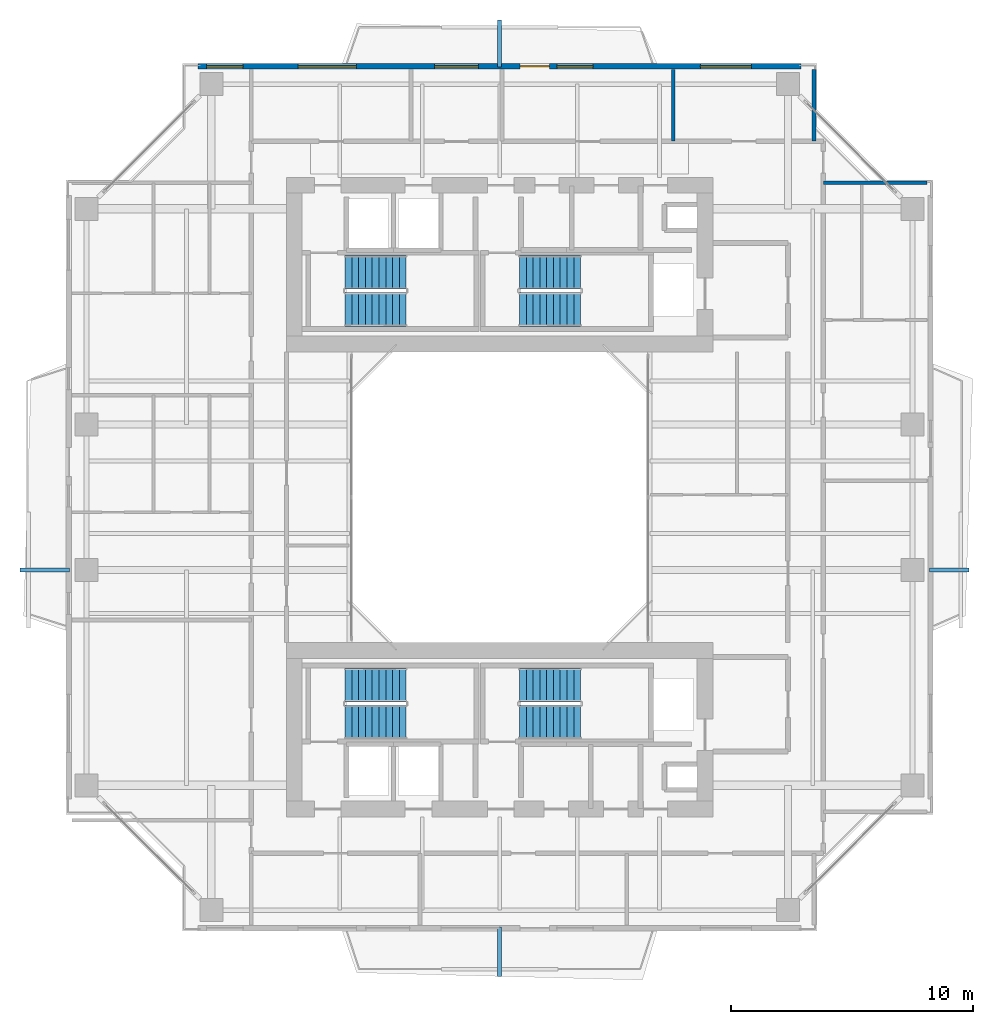
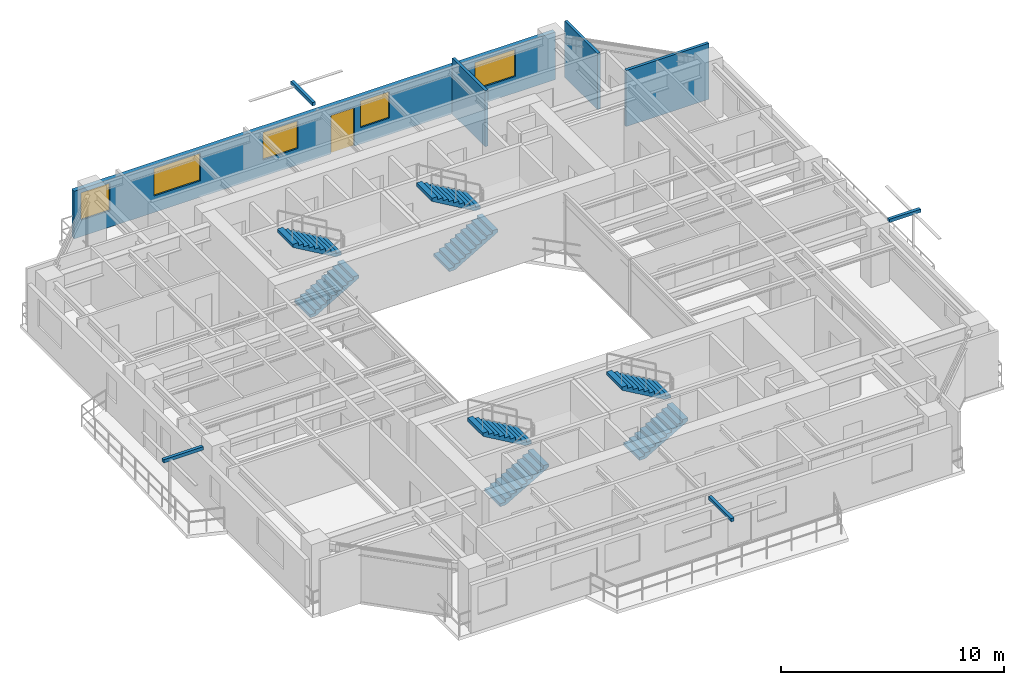
# One storey, part 14 of 17: 8 stair flights, 5 windows, 4 discrete accessories, 4 walls, 1 door, 6 openings, 4 elements without a shape of their own.
"""IFC4 building model written with IfcOpenShell, lengths in metres."""

from ifc_helpers import new_model, si_unit, direction, frame, frame_2d, origin, origin_2d, place, context, subcontext, project, spatial, polyline, rectangle, outline, extrude, source, transform, mapped, material, layer, layer_set, type_object, element, fill, aggregate, save


model = new_model("IFC4")

# Units and contexts
model_context = context("Model", 3, precision=1e-05, world=origin(), true_north=direction((0.0, 1.0)))
body_context = subcontext(model_context, "Body", "Model", "MODEL_VIEW")
ifc_project = project(units=[si_unit("LENGTHUNIT", "METRE"), si_unit("AREAUNIT", "SQUARE_METRE"), si_unit("VOLUMEUNIT", "CUBIC_METRE"), si_unit("PLANEANGLEUNIT", "RADIAN"), si_unit("MASSUNIT", "GRAM", prefix="KILO"), si_unit("THERMODYNAMICTEMPERATUREUNIT", "KELVIN"), si_unit("POWERUNIT", "WATT")], contexts=[model_context])

# Site, building, storey
site_placement = place(None, origin())
site = spatial("IfcSite", under=ifc_project, at=site_placement, CompositionType="ELEMENT")
building_placement = place(site_placement, origin())
building = spatial("IfcBuilding", under=site, at=building_placement, Name="Qiaomeng Ring Towers", CompositionType="ELEMENT")
storey_placement = place(building_placement, frame((0.0, 0.0, 150.25)))
storey = spatial("IfcBuildingStorey", under=building, at=storey_placement, Name="L43", CompositionType="ELEMENT", Elevation=150.25)

# Wall, openings, windows, door
ifc_material_1 = material(Name="Precast concrete C40", Category="concrete")
ifc_layer_1 = layer(ifc_material_1, 0.219970703125, Name="Precast concrete C40")
ifc_layer_set_1 = layer_set([ifc_layer_1], Name="Precast concrete C40")
wall_type_1 = type_object("IfcWallType", Name="ARC-WL-EW2", PredefinedType="STANDARD", material=ifc_layer_set_1)
wall_1_placement = place(storey_placement, frame((6.550048828125, 40.7900390625, 0.0), z_axis=(0.0, 0.0, 1.0), x_axis=(1.0, 0.0, 0.0)))
wall_1 = element("IfcWall", 1, at=wall_1_placement, inside=storey, type_object=wall_type_1, Name="L43 Tower 1 N Exterior Wall", PredefinedType="STANDARD", context=body_context, shape_type="SweptSolid", body=[
    extrude(rectangle(XDim=24.89990234375, YDim=0.219970703125, at=frame_2d((12.449951171875, 0.0))), origin(), (0.0, 0.0, 1.0), 2.610107421875),
])
opening_1_placement = place(wall_1_placement, frame((13.300048828125, 0.0, 0.0)))
opening_1 = element("IfcOpeningElement", 2, at=opening_1_placement, cuts=wall_1, Name="Opening BD1", PredefinedType="OPENING", context=body_context, shape_type="SweptSolid", body=[
    extrude(rectangle(XDim=1.199951171875, YDim=2.10009765625, at=frame_2d((0.60009765625, 1.050048828125))), frame((0.0, 0.119873046875, 0.0), z_axis=(0.0, -1.0, 0.0), x_axis=(1.0, 0.0, 0.0)), (0.0, 0.0, 1.0), 0.239990234375),
])
opening_2_placement = place(wall_1_placement, frame((0.357421875, 0.0, 0.89990234375)))
opening_2 = element("IfcOpeningElement", 3, at=opening_2_placement, cuts=wall_1, Name="Opening WN2", PredefinedType="OPENING", context=body_context, shape_type="SweptSolid", body=[
    extrude(rectangle(XDim=1.5, YDim=1.5, at=frame_2d((0.75, 0.75))), frame((0.0, 0.119873046875, 0.0), z_axis=(0.0, -1.0, 0.0), x_axis=(1.0, 0.0, 0.0)), (0.0, 0.0, 1.0), 0.239990234375),
])
opening_3_placement = place(wall_1_placement, frame((9.77001953125, 0.0, 0.89990234375)))
opening_3 = element("IfcOpeningElement", 4, at=opening_3_placement, cuts=wall_1, Name="Opening WN1", PredefinedType="OPENING", context=body_context, shape_type="SweptSolid", body=[
    extrude(rectangle(XDim=1.800048828125, YDim=1.5, at=frame_2d((0.89990234375, 0.75))), frame((0.0, 0.119873046875, 0.0), z_axis=(0.0, -1.0, 0.0), x_axis=(1.0, 0.0, 0.0)), (0.0, 0.0, 1.0), 0.239990234375),
])
opening_4_placement = place(wall_1_placement, frame((14.81298828125, 0.0, 0.89990234375)))
opening_4 = element("IfcOpeningElement", 5, at=opening_4_placement, cuts=wall_1, Name="Opening WN2", PredefinedType="OPENING", context=body_context, shape_type="SweptSolid", body=[
    extrude(rectangle(XDim=1.5, YDim=1.449951171875, at=frame_2d((0.75, 0.72509765625))), frame((0.0, 0.119873046875, 0.0), z_axis=(0.0, -1.0, 0.0), x_axis=(1.0, 0.0, 0.0)), (0.0, 0.0, 1.0), 0.239990234375),
])
opening_5_placement = place(wall_1_placement, frame((20.738037109375, 0.0, 0.89990234375)))
opening_5 = element("IfcOpeningElement", 6, at=opening_5_placement, cuts=wall_1, Name="Opening WN4", PredefinedType="OPENING", context=body_context, shape_type="SweptSolid", body=[
    extrude(rectangle(XDim=2.10009765625, YDim=1.47998046875, at=frame_2d((1.050048828125, 0.739990234375))), frame((0.0, 0.119873046875, 0.0), z_axis=(0.0, -1.0, 0.0), x_axis=(1.0, 0.0, 0.0)), (0.0, 0.0, 1.0), 0.239990234375),
])
opening_6_placement = place(wall_1_placement, frame((4.136474609375, 0.0, 0.89990234375)))
opening_6 = element("IfcOpeningElement", 7, at=opening_6_placement, cuts=wall_1, Name="Opening WN6", PredefinedType="OPENING", context=body_context, shape_type="SweptSolid", body=[
    extrude(rectangle(XDim=2.39990234375, YDim=1.5, at=frame_2d((1.199951171875, 0.75))), frame((0.0, 0.119873046875, 0.0), z_axis=(0.0, -1.0, 0.0), x_axis=(1.0, 0.0, 0.0)), (0.0, 0.0, 1.0), 0.239990234375),
])
ifc_material_2 = material(Name="Low-E dark-grey laminated double glazing", Category="glass")
window_type_1 = type_object("IfcWindowType", Name="ARC-WN-2", PartitioningType="DOUBLE_PANEL_VERTICAL", PredefinedType="WINDOW", material=ifc_material_2)
shared_shape_1 = source(origin(), body_context, "Body", "SweptSolid", [
    extrude(rectangle(XDim=1.5, YDim=1.449951171875, at=frame_2d((0.75, 0.72509765625))), frame((0.0, 0.030029296875, 0.0), z_axis=(0.0, -1.0, 0.0), x_axis=(1.0, 0.0, 0.0)), (0.0, 0.0, 1.0), 0.06005859375),
])
window_1_placement = place(opening_4_placement, origin())
window_1 = element("IfcWindow", 8, at=window_1_placement, inside=storey, type_object=window_type_1, Name="L43 Exterior Window WN2", OverallHeight=1.449951171875, OverallWidth=1.5, PartitioningType="DOUBLE_PANEL_VERTICAL", PredefinedType="WINDOW", context=body_context, shape_type="MappedRepresentation", body=[
    mapped(shared_shape_1, transform((0.0, 0.0, 0.0), x_axis=(1.0, 0.0, 0.0), y_axis=(0.0, 1.0, 0.0), z_axis=(0.0, 0.0, 1.0), scale=1.0)),
])
fill(opening_4, window_1)
window_type_2 = type_object("IfcWindowType", Name="ARC-WN-4", PartitioningType="TRIPLE_PANEL_VERTICAL", PredefinedType="WINDOW", material=ifc_material_2)
shared_shape_2 = source(origin(), body_context, "Body", "SweptSolid", [
    extrude(rectangle(XDim=2.10009765625, YDim=1.47998046875, at=frame_2d((1.050048828125, 0.739990234375))), frame((0.0, 0.030029296875, 0.0), z_axis=(0.0, -1.0, 0.0), x_axis=(1.0, 0.0, 0.0)), (0.0, 0.0, 1.0), 0.06005859375),
])
window_2_placement = place(opening_5_placement, origin())
window_2 = element("IfcWindow", 9, at=window_2_placement, inside=storey, type_object=window_type_2, Name="L43 Exterior Window WN4", OverallHeight=1.47998046875, OverallWidth=2.10009765625, PartitioningType="TRIPLE_PANEL_VERTICAL", PredefinedType="WINDOW", context=body_context, shape_type="MappedRepresentation", body=[
    mapped(shared_shape_2, transform((0.0, 0.0, 0.0), x_axis=(1.0, 0.0, 0.0), y_axis=(0.0, 1.0, 0.0), z_axis=(0.0, 0.0, 1.0), scale=1.0)),
])
fill(opening_5, window_2)
door_type = type_object("IfcDoorType", Name="ARC-DR-BD1", OperationType="NOTDEFINED", PredefinedType="DOOR", material=ifc_material_2)
shared_shape_3 = source(origin(), body_context, "Body", "SweptSolid", [
    extrude(rectangle(XDim=1.199951171875, YDim=2.10009765625, at=frame_2d((0.60009765625, 1.050048828125))), frame((0.0, 0.02490234375, 0.0), z_axis=(0.0, -1.0, 0.0), x_axis=(1.0, 0.0, 0.0)), (0.0, 0.0, 1.0), 0.050048828125),
])
door_placement = place(opening_1_placement, origin())
door = element("IfcDoor", 10, at=door_placement, inside=storey, type_object=door_type, Name="L43 N Balcony Glazed Door", OperationType="SINGLE_SWING_LEFT", OverallHeight=2.10009765625, OverallWidth=1.199951171875, PredefinedType="DOOR", context=body_context, shape_type="MappedRepresentation", body=[
    mapped(shared_shape_3, transform((0.0, 0.0, 0.0), x_axis=(1.0, 0.0, 0.0), y_axis=(0.0, 1.0, 0.0), z_axis=(0.0, 0.0, 1.0), scale=1.0)),
])
fill(opening_1, door)
shared_shape_4 = source(origin(), body_context, "Body", "SweptSolid", [
    extrude(rectangle(XDim=1.5, YDim=1.5, at=frame_2d((0.75, 0.75))), frame((0.0, 0.030029296875, 0.0), z_axis=(0.0, -1.0, 0.0), x_axis=(1.0, 0.0, 0.0)), (0.0, 0.0, 1.0), 0.06005859375),
])
window_3_placement = place(opening_2_placement, origin())
window_3 = element("IfcWindow", 11, at=window_3_placement, inside=storey, type_object=window_type_1, Name="L43 Exterior Window WN6", OverallHeight=1.5, OverallWidth=1.5, PartitioningType="TRIPLE_PANEL_VERTICAL", PredefinedType="WINDOW", context=body_context, shape_type="MappedRepresentation", body=[
    mapped(shared_shape_4, transform((0.0, 0.0, 0.0), x_axis=(1.0, 0.0, 0.0), y_axis=(0.0, 1.0, 0.0), z_axis=(0.0, 0.0, 1.0), scale=1.0)),
])
fill(opening_2, window_3)
window_type_3 = type_object("IfcWindowType", Name="ARC-WN-6", PartitioningType="TRIPLE_PANEL_VERTICAL", PredefinedType="WINDOW", material=ifc_material_2)
shared_shape_5 = source(origin(), body_context, "Body", "SweptSolid", [
    extrude(rectangle(XDim=2.39990234375, YDim=1.5, at=frame_2d((1.199951171875, 0.75))), frame((0.0, 0.030029296875, 0.0), z_axis=(0.0, -1.0, 0.0), x_axis=(1.0, 0.0, 0.0)), (0.0, 0.0, 1.0), 0.06005859375),
])
window_4_placement = place(opening_6_placement, origin())
window_4 = element("IfcWindow", 12, at=window_4_placement, inside=storey, type_object=window_type_3, Name="L43 Exterior Window WN6", OverallHeight=1.5, OverallWidth=2.39990234375, PartitioningType="TRIPLE_PANEL_VERTICAL", PredefinedType="WINDOW", context=body_context, shape_type="MappedRepresentation", body=[
    mapped(shared_shape_5, transform((0.0, 0.0, 0.0), x_axis=(1.0, 0.0, 0.0), y_axis=(0.0, 1.0, 0.0), z_axis=(0.0, 0.0, 1.0), scale=1.0)),
])
fill(opening_6, window_4)
window_type_4 = type_object("IfcWindowType", Name="ARC-WN-1", PartitioningType="DOUBLE_PANEL_VERTICAL", PredefinedType="WINDOW", material=ifc_material_2)
shared_shape_6 = source(origin(), body_context, "Body", "SweptSolid", [
    extrude(rectangle(XDim=1.800048828125, YDim=1.5, at=frame_2d((0.89990234375, 0.75))), frame((0.0, 0.030029296875, 0.0), z_axis=(0.0, -1.0, 0.0), x_axis=(1.0, 0.0, 0.0)), (0.0, 0.0, 1.0), 0.06005859375),
])
window_5_placement = place(opening_3_placement, origin())
window_5 = element("IfcWindow", 13, at=window_5_placement, inside=storey, type_object=window_type_4, Name="L43 Exterior Window WN1", OverallHeight=1.5, OverallWidth=1.800048828125, PartitioningType="DOUBLE_PANEL_VERTICAL", PredefinedType="WINDOW", context=body_context, shape_type="MappedRepresentation", body=[
    mapped(shared_shape_6, transform((0.0, 0.0, 0.0), x_axis=(1.0, 0.0, 0.0), y_axis=(0.0, 1.0, 0.0), z_axis=(0.0, 0.0, 1.0), scale=1.0)),
])
fill(opening_3, window_5)

# Walls
ifc_material_3 = material(Name="Gypsum fireboard steel-stud partition", Category="steel")
ifc_layer_2 = layer(ifc_material_3, 0.14990234375, Name="Gypsum fireboard steel-stud partition")
ifc_layer_set_2 = layer_set([ifc_layer_2], Name="Gypsum fireboard steel-stud partition")
wall_type_2 = type_object("IfcWallType", Name="ARC-WL-PW3", PredefinedType="PARTITIONING", material=ifc_layer_set_2)
for number, where, z_axis, x_axis, name in (
    (14, (26.169921875, 37.699951171875, 0.0), (0.0, 0.0, 1.0), (0.0, 1.0, 0.0), "L43 Interior Wall PW3"),
    (15, (31.97998046875, 37.699951171875, 0.0), (0.0, 0.0, 1.0), (0.0, 1.0, 0.0), "L43 Interior Wall PW3"),
):
    element("IfcWall", number, at=place(storey_placement, frame(where, z_axis=z_axis, x_axis=x_axis)), inside=storey, type_object=wall_type_2, Name=name, PredefinedType="PARTITIONING", context=body_context, shape_type="SweptSolid", body=[
        extrude(rectangle(XDim=2.949951171875, YDim=0.14990234375, at=frame_2d((1.47509765625, 0.0))), origin(), (0.0, 0.0, 1.0), 3.070068359375),
    ])
wall_2_placement = place(storey_placement, frame((32.360107421875, 35.97998046875, 0.0), z_axis=(0.0, 0.0, 1.0), x_axis=(1.0, 0.0, 0.0)))
element("IfcWall", 16, at=wall_2_placement, inside=storey, type_object=wall_type_2, Name="L43 Interior Wall PW3", PredefinedType="PARTITIONING", context=body_context, shape_type="SweptSolid", body=[
    extrude(rectangle(XDim=4.289794921875, YDim=0.14990234375, at=frame_2d((2.14501953125, 0.0))), origin(), (0.0, 0.0, 1.0), 3.070068359375),
])

# Stair, stair flights
stair_type = type_object("IfcStairType", Name="ARC-ST-325", PredefinedType="HALF_TURN_STAIR", material=ifc_material_1)
stair_1_placement = place(storey_placement, origin())
stair_1 = element("IfcStair", 17, at=stair_1_placement, inside=storey, type_object=stair_type, Name="L43 Tower 1 North Stair 1", PredefinedType="HALF_TURN_STAIR")
stair_flight_type = type_object("IfcStairFlightType", Name="ARC-ST-325-FL", PredefinedType="STRAIGHT", material=ifc_material_1)
shared_shape_7 = source(origin(), body_context, "Body", "SweptSolid", [
    extrude(outline(polyline([(0.0, 0.0), (0.0, 0.16259765625), (0.280029296875, 0.16259765625), (0.280029296875, 0.324951171875), (0.56005859375, 0.324951171875), (0.56005859375, 0.487548828125), (0.840087890625, 0.487548828125), (0.840087890625, 0.64990234375), (1.1201171875, 0.64990234375), (1.1201171875, 0.8125), (1.39990234375, 0.8125), (1.39990234375, 0.97509765625), (1.679931640625, 0.97509765625), (1.679931640625, 1.137451171875), (1.9599609375, 1.137451171875), (1.9599609375, 1.300048828125), (2.239990234375, 1.300048828125), (2.239990234375, 1.46240234375), (2.52001953125, 1.46240234375), (2.52001953125, 1.625), (2.52001953125, 1.2890625), (0.298583984375, 0.0), (0.0, 0.0)])), frame((0.0, 0.699951171875, 0.0), z_axis=(0.0, -1.0, 0.0), x_axis=(1.0, 0.0, 0.0)), (0.0, 0.0, 1.0), 1.39990234375),
])
stair_flight_1_placement = place(storey_placement, frame((12.6201171875, 30.75, 0.0), z_axis=(0.0, 0.0, 1.0), x_axis=(1.0, 0.0, 0.0)))
stair_flight_1 = element("IfcStairFlight", 18, at=stair_flight_1_placement, type_object=stair_flight_type, Name="ST1 flight 1", NumberOfRisers=10, NumberOfTreads=9, PredefinedType="STRAIGHT", RiserHeight=0.1625, TreadLength=0.28, context=body_context, shape_type="MappedRepresentation", body=[
    mapped(shared_shape_7, transform((0.0, 0.0, 0.0), x_axis=(1.0, 0.0, 0.0), y_axis=(0.0, 1.0, 0.0), z_axis=(0.0, 0.0, 1.0), scale=1.0)),
])
stair_flight_2_placement = place(storey_placement, frame((15.139892578125, 32.2900390625, 1.625), z_axis=(0.0, 0.0, 1.0), x_axis=(-1.0, 0.0, 0.0)))
stair_flight_2 = element("IfcStairFlight", 19, at=stair_flight_2_placement, type_object=stair_flight_type, Name="ST1 flight 2", NumberOfRisers=10, NumberOfTreads=9, PredefinedType="STRAIGHT", RiserHeight=0.1625, TreadLength=0.28, context=body_context, shape_type="MappedRepresentation", body=[
    mapped(shared_shape_7, transform((0.0, 0.0, 0.0), x_axis=(1.0, 0.0, 0.0), y_axis=(0.0, 1.0, 0.0), z_axis=(0.0, 0.0, 1.0), scale=1.0)),
])
aggregate(stair_1, [stair_flight_1, stair_flight_2])

stair_2_placement = place(storey_placement, origin())
stair_2 = element("IfcStair", 20, at=stair_2_placement, inside=storey, type_object=stair_type, Name="L43 Tower 1 North Stair 2", PredefinedType="HALF_TURN_STAIR")
stair_flight_3_placement = place(storey_placement, frame((19.820068359375, 30.75, 0.0), z_axis=(0.0, 0.0, 1.0), x_axis=(1.0, 0.0, 0.0)))
stair_flight_3 = element("IfcStairFlight", 21, at=stair_flight_3_placement, type_object=stair_flight_type, Name="ST2 flight 1", NumberOfRisers=10, NumberOfTreads=9, PredefinedType="STRAIGHT", RiserHeight=0.1625, TreadLength=0.28, context=body_context, shape_type="MappedRepresentation", body=[
    mapped(shared_shape_7, transform((0.0, 0.0, 0.0), x_axis=(1.0, 0.0, 0.0), y_axis=(0.0, 1.0, 0.0), z_axis=(0.0, 0.0, 1.0), scale=1.0)),
])
stair_flight_4_placement = place(storey_placement, frame((22.340087890625, 32.2900390625, 1.625), z_axis=(0.0, 0.0, 1.0), x_axis=(-1.0, 0.0, 0.0)))
stair_flight_4 = element("IfcStairFlight", 22, at=stair_flight_4_placement, type_object=stair_flight_type, Name="ST2 flight 2", NumberOfRisers=10, NumberOfTreads=9, PredefinedType="STRAIGHT", RiserHeight=0.1625, TreadLength=0.28, context=body_context, shape_type="MappedRepresentation", body=[
    mapped(shared_shape_7, transform((0.0, 0.0, 0.0), x_axis=(1.0, 0.0, 0.0), y_axis=(0.0, 1.0, 0.0), z_axis=(0.0, 0.0, 1.0), scale=1.0)),
])
aggregate(stair_2, [stair_flight_3, stair_flight_4])

stair_3_placement = place(storey_placement, origin())
stair_3 = element("IfcStair", 23, at=stair_3_placement, inside=storey, type_object=stair_type, Name="L43 Tower 1 South Stair 3", PredefinedType="HALF_TURN_STAIR")
stair_flight_5_placement = place(storey_placement, frame((12.6201171875, 13.7099609375, 0.0), z_axis=(0.0, 0.0, 1.0), x_axis=(1.0, 0.0, 0.0)))
stair_flight_5 = element("IfcStairFlight", 24, at=stair_flight_5_placement, type_object=stair_flight_type, Name="ST3 flight 1", NumberOfRisers=10, NumberOfTreads=9, PredefinedType="STRAIGHT", RiserHeight=0.1625, TreadLength=0.28, context=body_context, shape_type="MappedRepresentation", body=[
    mapped(shared_shape_7, transform((0.0, 0.0, 0.0), x_axis=(1.0, 0.0, 0.0), y_axis=(0.0, 1.0, 0.0), z_axis=(0.0, 0.0, 1.0), scale=1.0)),
])
stair_flight_6_placement = place(storey_placement, frame((15.139892578125, 15.25, 1.625), z_axis=(0.0, 0.0, 1.0), x_axis=(-1.0, 0.0, 0.0)))
stair_flight_6 = element("IfcStairFlight", 25, at=stair_flight_6_placement, type_object=stair_flight_type, Name="ST3 flight 2", NumberOfRisers=10, NumberOfTreads=9, PredefinedType="STRAIGHT", RiserHeight=0.1625, TreadLength=0.28, context=body_context, shape_type="MappedRepresentation", body=[
    mapped(shared_shape_7, transform((0.0, 0.0, 0.0), x_axis=(1.0, 0.0, 0.0), y_axis=(0.0, 1.0, 0.0), z_axis=(0.0, 0.0, 1.0), scale=1.0)),
])
aggregate(stair_3, [stair_flight_5, stair_flight_6])

stair_4_placement = place(storey_placement, origin())
stair_4 = element("IfcStair", 26, at=stair_4_placement, inside=storey, type_object=stair_type, Name="L43 Tower 1 South Stair 4", PredefinedType="HALF_TURN_STAIR")
stair_flight_7_placement = place(storey_placement, frame((19.820068359375, 13.7099609375, 0.0), z_axis=(0.0, 0.0, 1.0), x_axis=(1.0, 0.0, 0.0)))
stair_flight_7 = element("IfcStairFlight", 27, at=stair_flight_7_placement, type_object=stair_flight_type, Name="ST4 flight 1", NumberOfRisers=10, NumberOfTreads=9, PredefinedType="STRAIGHT", RiserHeight=0.1625, TreadLength=0.28, context=body_context, shape_type="MappedRepresentation", body=[
    mapped(shared_shape_7, transform((0.0, 0.0, 0.0), x_axis=(1.0, 0.0, 0.0), y_axis=(0.0, 1.0, 0.0), z_axis=(0.0, 0.0, 1.0), scale=1.0)),
])
stair_flight_8_placement = place(storey_placement, frame((22.340087890625, 15.25, 1.625), z_axis=(0.0, 0.0, 1.0), x_axis=(-1.0, 0.0, 0.0)))
stair_flight_8 = element("IfcStairFlight", 28, at=stair_flight_8_placement, type_object=stair_flight_type, Name="ST4 flight 2", NumberOfRisers=10, NumberOfTreads=9, PredefinedType="STRAIGHT", RiserHeight=0.1625, TreadLength=0.28, context=body_context, shape_type="MappedRepresentation", body=[
    mapped(shared_shape_7, transform((0.0, 0.0, 0.0), x_axis=(1.0, 0.0, 0.0), y_axis=(0.0, 1.0, 0.0), z_axis=(0.0, 0.0, 1.0), scale=1.0)),
])
aggregate(stair_4, [stair_flight_7, stair_flight_8])

# Discrete accessories
ifc_material_4 = material(Name="Stainless steel 316", Category="steel")
discrete_accessory_type = type_object("IfcDiscreteAccessoryType", Name="ARC-ACC-BRACKET", PredefinedType="BRACKET", material=ifc_material_4)
shared_shape_8 = source(origin(), body_context, "Body", "SweptSolid", [
    extrude(rectangle(XDim=0.159912109375, YDim=2.030029296875, at=origin_2d()), origin(), (0.0, 0.0, 1.0), 0.179931640625),
])
discrete_accessory_1_placement = place(storey_placement, frame((19.0, 4.235107421875, 2.89990234375), z_axis=(0.0, 0.0, 1.0), x_axis=(1.0, 0.0, 0.0)))
element("IfcDiscreteAccessory", 29, at=discrete_accessory_1_placement, inside=storey, type_object=discrete_accessory_type, Name="L43 Stainless Outer-Skin Tie Bracket S", PredefinedType="BRACKET", context=body_context, shape_type="MappedRepresentation", body=[
    mapped(shared_shape_8, transform((0.0, 0.0, 0.0), x_axis=(1.0, 0.0, 0.0), y_axis=(0.0, 1.0, 0.0), z_axis=(0.0, 0.0, 1.0), scale=1.0)),
])
shared_shape_9 = source(origin(), body_context, "Body", "SweptSolid", [
    extrude(rectangle(XDim=1.6298828125, YDim=0.159912109375, at=origin_2d()), origin(), (0.0, 0.0, 1.0), 0.179931640625),
])
discrete_accessory_2_placement = place(storey_placement, frame((37.56494140625, 20.0, 2.89990234375), z_axis=(0.0, 0.0, 1.0), x_axis=(1.0, 0.0, 0.0)))
element("IfcDiscreteAccessory", 30, at=discrete_accessory_2_placement, inside=storey, type_object=discrete_accessory_type, Name="L43 Stainless Outer-Skin Tie Bracket E", PredefinedType="BRACKET", context=body_context, shape_type="MappedRepresentation", body=[
    mapped(shared_shape_9, transform((0.0, 0.0, 0.0), x_axis=(1.0, 0.0, 0.0), y_axis=(0.0, 1.0, 0.0), z_axis=(0.0, 0.0, 1.0), scale=1.0)),
])
shared_shape_10 = source(origin(), body_context, "Body", "SweptSolid", [
    extrude(rectangle(XDim=0.159912109375, YDim=1.949951171875, at=origin_2d()), origin(), (0.0, 0.0, 1.0), 0.179931640625),
])
discrete_accessory_3_placement = place(storey_placement, frame((19.0, 41.72509765625, 2.89990234375), z_axis=(0.0, 0.0, 1.0), x_axis=(1.0, 0.0, 0.0)))
element("IfcDiscreteAccessory", 31, at=discrete_accessory_3_placement, inside=storey, type_object=discrete_accessory_type, Name="L43 Stainless Outer-Skin Tie Bracket N", PredefinedType="BRACKET", context=body_context, shape_type="MappedRepresentation", body=[
    mapped(shared_shape_10, transform((0.0, 0.0, 0.0), x_axis=(1.0, 0.0, 0.0), y_axis=(0.0, 1.0, 0.0), z_axis=(0.0, 0.0, 1.0), scale=1.0)),
])
shared_shape_11 = source(origin(), body_context, "Body", "SweptSolid", [
    extrude(rectangle(XDim=2.050048828125, YDim=0.159912109375, at=origin_2d()), origin(), (0.0, 0.0, 1.0), 0.179931640625),
])
discrete_accessory_4_placement = place(storey_placement, frame((0.22509765625, 20.0, 2.89990234375), z_axis=(0.0, 0.0, 1.0), x_axis=(1.0, 0.0, 0.0)))
element("IfcDiscreteAccessory", 32, at=discrete_accessory_4_placement, inside=storey, type_object=discrete_accessory_type, Name="L43 Stainless Outer-Skin Tie Bracket W", PredefinedType="BRACKET", context=body_context, shape_type="MappedRepresentation", body=[
    mapped(shared_shape_11, transform((0.0, 0.0, 0.0), x_axis=(1.0, 0.0, 0.0), y_axis=(0.0, 1.0, 0.0), z_axis=(0.0, 0.0, 1.0), scale=1.0)),
])

save(model, "model.ifc")
